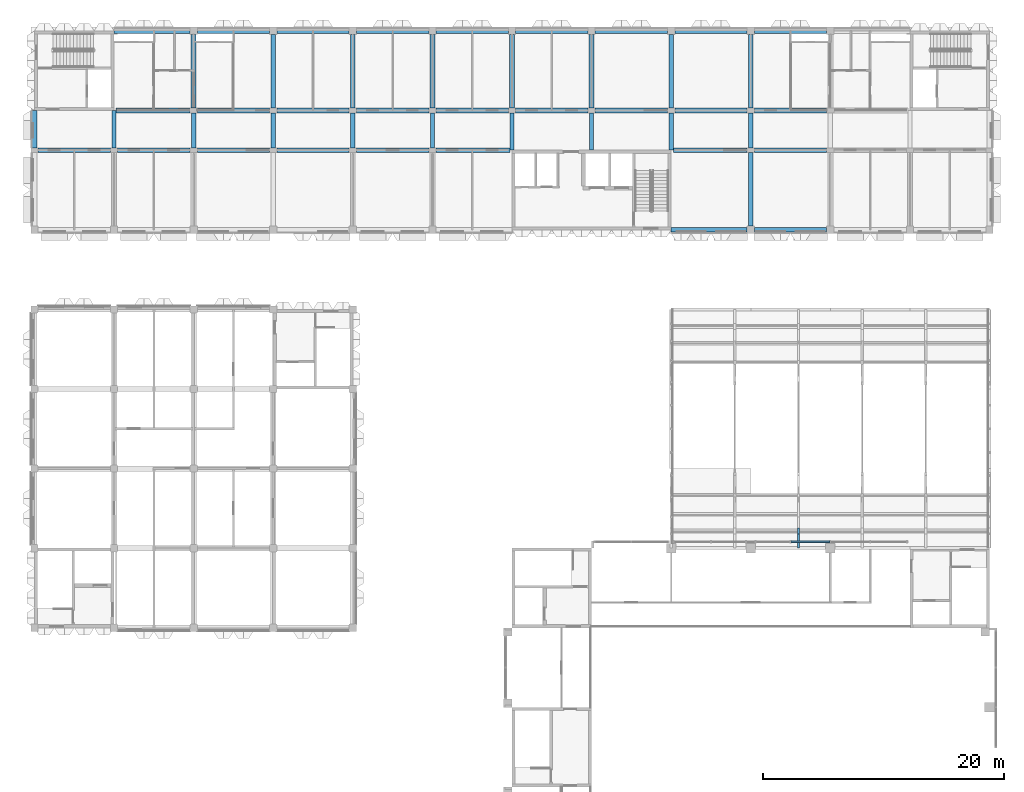
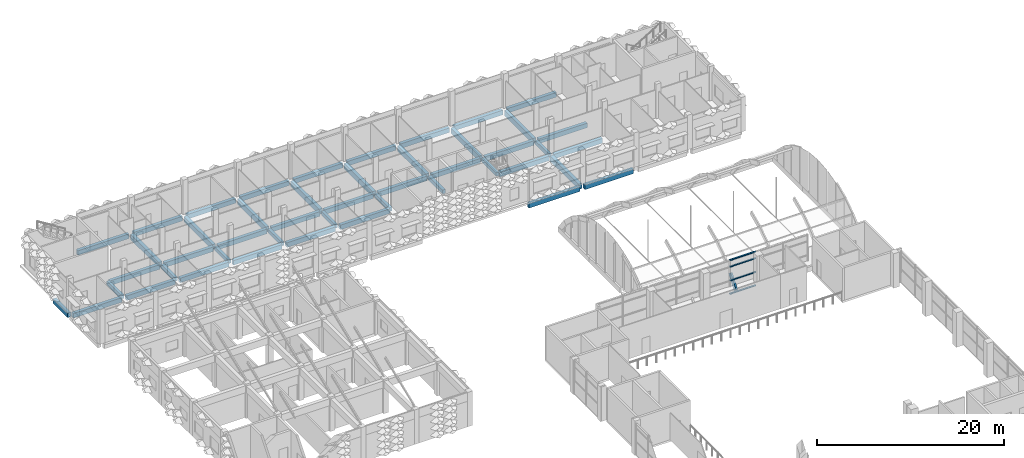
# One storey, part 22 of 102: 47 beams, 5 members, 1 element without a shape of its own.
"""IFC4 building model written with IfcOpenShell, lengths in metres."""

import ifcopenshell
import ifcopenshell.guid

model = None  # the IFC model being written
_history = None  # IfcOwnerHistory: only IFC2X3 demands one
_inside = {}  # id of a spatial element -> (the spatial element, [elements in it])
_under = {}  # id of a project, library or spatial element -> (it, [spatial elements below it])
_declared = {}  # id of a project -> (the project, [libraries it declares])
_typed = {}  # id of a type object -> (the type object, [elements of that type])
_made_of = {}  # id of a material, layer set ... -> (it, [elements and type objects made of it])


def new_model(schema):
    """Start an empty IFC model of exactly this schema.

    Asked for "IFC4X3", IfcOpenShell would pick the latest addendum, in which some entities
    have other attributes; the version numbers below select the first issue.
    IFC2X3 requires an IfcOwnerHistory on every rooted entity: one is made here for all.
    """
    global model, _history
    if schema == "IFC4X3":
        model = ifcopenshell.file(schema_version=(4, 3, 0, 0))
    else:
        model = ifcopenshell.file(schema=schema)
    _inside.clear()
    _under.clear()
    _declared.clear()
    _typed.clear()
    _made_of.clear()
    _history = None
    if model.schema == "IFC2X3":
        org = make("IfcOrganization", Name="unknown")
        user = make(
            "IfcPersonAndOrganization",
            ThePerson=make("IfcPerson", FamilyName="unknown"),
            TheOrganization=org,
        )
        app = make(
            "IfcApplication",
            ApplicationDeveloper=org,
            Version="unknown",
            ApplicationFullName="unknown",
            ApplicationIdentifier="unknown",
        )
        _history = make(
            "IfcOwnerHistory",
            OwningUser=user,
            OwningApplication=app,
            ChangeAction="ADDED",
            CreationDate=0,
        )
    return model


def make(cls, **values):
    """One entity of the class cls with the attributes given. An attribute that is None is left unset."""
    return model.create_entity(
        cls, **{name: value for name, value in values.items() if value is not None}
    )


def rooted(cls, **values):
    """An entity with a GlobalId (a new one), such as an element, a storey or a relation."""
    return make(cls, GlobalId=ifcopenshell.guid.new(), OwnerHistory=_history, **values)


def si_unit(unit_type, name, prefix=None):
    """IfcSIUnit, for example si_unit("LENGTHUNIT", "METRE", prefix="MILLI")."""
    return make("IfcSIUnit", UnitType=unit_type, Prefix=prefix, Name=name)


def assignment(units):
    """IfcUnitAssignment: the units of a project."""
    return None if units is None else make("IfcUnitAssignment", Units=units)


def point(xyz):
    """IfcCartesianPoint."""
    return None if xyz is None else make("IfcCartesianPoint", Coordinates=xyz)


def direction(xyz):
    """IfcDirection."""
    return None if xyz is None else make("IfcDirection", DirectionRatios=xyz)


def frame(location, z_axis=None, x_axis=None):
    """IfcAxis2Placement3D, a coordinate frame: its origin and axes. An axis left out is left unset."""
    return make(
        "IfcAxis2Placement3D",
        Location=point(location),
        Axis=direction(z_axis),
        RefDirection=direction(x_axis),
    )


def frame_2d(location, x_axis=None):
    """IfcAxis2Placement2D, a coordinate frame in the plane: its origin and x axis."""
    return make(
        "IfcAxis2Placement2D", Location=point(location), RefDirection=direction(x_axis)
    )


def origin():
    """The frame at (0, 0, 0) with its axes left unset."""
    return frame((0.0, 0.0, 0.0))


def origin_2d():
    """The frame at (0, 0) in the plane with its x axis left unset."""
    return frame_2d((0.0, 0.0))


def place(relative_to, where):
    """IfcLocalPlacement: puts the frame where relative to a parent placement (None: the world)."""
    return make(
        "IfcLocalPlacement", PlacementRelTo=relative_to, RelativePlacement=where
    )


def context(
    kind, dimensions, precision=None, world=None, true_north=None, identifier=None
):
    """IfcGeometricRepresentationContext, for example the 3D "Model" context."""
    return make(
        "IfcGeometricRepresentationContext",
        ContextIdentifier=identifier,
        ContextType=kind,
        CoordinateSpaceDimension=dimensions,
        Precision=precision,
        WorldCoordinateSystem=world,
        TrueNorth=true_north,
    )


def subcontext(parent, identifier, kind, view, scale=None):
    """IfcGeometricRepresentationSubContext, for example "Body" below "Model"."""
    return make(
        "IfcGeometricRepresentationSubContext",
        ContextIdentifier=identifier,
        ContextType=kind,
        ParentContext=parent,
        TargetScale=scale,
        TargetView=view,
    )


def project(units=None, contexts=None):
    """IfcProject with its units and contexts."""
    return rooted(
        "IfcProject",
        Name="project",
        RepresentationContexts=contexts,
        UnitsInContext=assignment(units),
    )


def spatial(cls, under=None, at=None, **own):
    """A site, building, storey or space (cls), placed at a placement, below another one or the project."""
    s = rooted(cls, ObjectPlacement=at, **own)
    if under is not None:
        _under.setdefault(under.id(), (under, []))[1].append(s)
    return s


def profile(cls, at=None, kind="AREA", **sizes):
    """A parametric profile (cls). Its sizes go by their IFC names, for example OverallWidth=200.0."""
    return make(cls, ProfileType=kind, Position=at, **sizes)


def rectangle(**sizes):
    """IfcRectangleProfileDef."""
    return profile("IfcRectangleProfileDef", **sizes)


def extrude(swept, where, along, depth):
    """IfcExtrudedAreaSolid: the profile swept, set in the frame where, extruded along a direction by depth."""
    return make(
        "IfcExtrudedAreaSolid",
        SweptArea=swept,
        Position=where,
        ExtrudedDirection=direction(along),
        Depth=depth,
    )


def shape(context_of_items, identifier, shape_type, items):
    """IfcShapeRepresentation: the items that make up one representation, for example the "Body"."""
    return make(
        "IfcShapeRepresentation",
        ContextOfItems=context_of_items,
        RepresentationIdentifier=identifier,
        RepresentationType=shape_type,
        Items=items,
    )


def material(Name=None, Category=None):
    """IfcMaterial."""
    return make("IfcMaterial", Name=Name, Category=Category)


def material_profile(
    of_material, cross_section, Name=None, Category=None, Priority=None
):
    """IfcMaterialProfile: a cross section and its material."""
    return make(
        "IfcMaterialProfile",
        Name=Name,
        Material=of_material,
        Profile=cross_section,
        Priority=Priority,
        Category=Category,
    )


def profile_set(profiles, Name=None, composite=None):
    """IfcMaterialProfileSet."""
    return make(
        "IfcMaterialProfileSet",
        Name=Name,
        MaterialProfiles=profiles,
        CompositeProfile=composite,
    )


def made_of(thing, what):
    """Note that an element or type object is made of a material, layer set ...; save() writes the relation."""
    if what is not None:
        _made_of.setdefault(what.id(), (what, []))[1].append(thing)
    return thing


def type_object(cls, material=None, **own):
    """A type object (cls), such as IfcWallType, which elements share."""
    return made_of(rooted(cls, **own), material)


def element(
    cls,
    number,
    at=None,
    inside=None,
    cuts=None,
    type_object=None,
    material=None,
    context=None,
    identifier="Body",
    shape_type=None,
    held_by="IfcProductDefinitionShape",
    body=None,
    shapes=None,
    **own,
):
    """One element of the class cls, such as IfcWall. Its Tag is "e" and its number.

    at: its placement. inside: the storey or other place that contains it. cuts: it is an
    opening in that element (IfcRelVoidsElement). A single representation is given by context,
    identifier, shape_type and body (its items); several are given by shapes. held_by: the class
    of the entity that holds the representations. save() writes the other relations.
    """
    e = rooted(cls, Tag="e%d" % number, ObjectPlacement=at, **own)
    if body is not None:
        shapes = [shape(context, identifier, shape_type, body)]
    if shapes is not None:
        e.Representation = make(held_by, Representations=shapes)
    if inside is not None:
        _inside.setdefault(inside.id(), (inside, []))[1].append(e)
    if cuts is not None:
        rooted(
            "IfcRelVoidsElement", RelatingBuildingElement=cuts, RelatedOpeningElement=e
        )
    if type_object is not None:
        _typed.setdefault(type_object.id(), (type_object, []))[1].append(e)
    return made_of(e, material)


def aggregate(whole, parts):
    """IfcRelAggregates: a whole, such as a stair, and the parts it consists of."""
    return rooted("IfcRelAggregates", RelatingObject=whole, RelatedObjects=parts)


def save(model, path):
    """Write the relations noted so far, then the file.

    IfcRelAggregates (storeys below a building ...), IfcRelContainedInSpatialStructure (elements
    in a storey), IfcRelDefinesByType, IfcRelAssociatesMaterial and IfcRelDeclares: one each for
    every whole, place, type object, material and project.
    """
    for whole, parts in _under.values():
        aggregate(whole, parts)
    for where, things in _inside.values():
        rooted(
            "IfcRelContainedInSpatialStructure",
            RelatedElements=things,
            RelatingStructure=where,
        )
    for kind, things in _typed.values():
        rooted("IfcRelDefinesByType", RelatedObjects=things, RelatingType=kind)
    for what, things in _made_of.values():
        rooted("IfcRelAssociatesMaterial", RelatedObjects=things, RelatingMaterial=what)
    for by, libraries in _declared.values():
        rooted("IfcRelDeclares", RelatingContext=by, RelatedDefinitions=libraries)
    model.write(path)


model = new_model("IFC4")

# Units and contexts
model_context = context("Model", 3, precision=1e-05, world=origin(), true_north=direction((0.0, 1.0)))
body_context = subcontext(model_context, "Body", "Model", "MODEL_VIEW")
ifc_project = project(units=[si_unit("LENGTHUNIT", "METRE"), si_unit("AREAUNIT", "SQUARE_METRE"), si_unit("VOLUMEUNIT", "CUBIC_METRE"), si_unit("PLANEANGLEUNIT", "RADIAN"), si_unit("MASSUNIT", "GRAM", prefix="KILO")], contexts=[model_context])

# Site, building, storey
site_placement = place(None, origin())
site = spatial("IfcSite", under=ifc_project, at=site_placement, CompositionType="ELEMENT")
building_placement = place(site_placement, origin())
building = spatial("IfcBuilding", under=site, at=building_placement, Name="Lantern Court Research Institute", CompositionType="ELEMENT")
storey_placement = place(building_placement, frame((0.0, 0.0, 9.89990234375)))
storey = spatial("IfcBuildingStorey", under=building, at=storey_placement, Name="L02", CompositionType="ELEMENT", Elevation=9.89990234375)

# Member
ifc_material_1 = material(Name="Glued laminated timber GL28h", Category="wood")
ifc_material_profile_1 = material_profile(ifc_material_1, rectangle(XDim=0.199951171875, YDim=0.60009765625, at=origin_2d()), Name="Glulam springing rib 200 x 600")
ifc_profile_set_1 = profile_set([ifc_material_profile_1], Name="Glued laminated timber GL28h")
member_type_1 = type_object("IfcMemberType", Name="Glulam springing rib 200 x 600", PredefinedType="RAFTER", material=ifc_profile_set_1)
member_1_placement = place(storey_placement, frame((63.360107421875, 56.34033203125, 0.460693359375), z_axis=(0.0, 0.598133156131, 0.801396735417), x_axis=(-1.0, 0.0, 0.0)))
element("IfcMember", 1, at=member_1_placement, inside=storey, type_object=member_type_1, Name="Glulam rib", PredefinedType="RAFTER", context=body_context, shape_type="SweptSolid", body=[
    extrude(rectangle(XDim=0.199951171875, YDim=0.60009765625, at=origin_2d()), origin(), (0.0, 0.0, 1.0), 1.968505859375),
])

# Beams
ifc_material_2 = material(Name="Concrete C40/50", Category="concrete")
ifc_material_profile_2 = material_profile(ifc_material_2, rectangle(XDim=0.39990234375, YDim=0.60009765625, at=origin_2d()), Name="RC beam 400 x 600")
ifc_profile_set_2 = profile_set([ifc_material_profile_2], Name="Concrete C40/50")
beam_type_1 = type_object("IfcBeamType", Name="RC beam 400 x 600", PredefinedType="BEAM", material=ifc_profile_set_2)
for number, where, z_axis, x_axis, name in (
    (2, (0.300048828125, 89.10009765625, -0.5498046875), (1.0, 0.0, 0.0), (0.0, 1.0, 0.0), "Beam L02 grid K/1-2"),
    (3, (6.89990234375, 89.10009765625, -0.5498046875), (1.0, 0.0, 0.0), (0.0, 1.0, 0.0), "Beam L02 grid K/2-3"),
    (4, (13.5, 89.10009765625, -0.5498046875), (1.0, 0.0, 0.0), (0.0, 1.0, 0.0), "Beam L02 grid K/3-4"),
    (5, (20.10009765625, 89.10009765625, -0.5498046875), (1.0, 0.0, 0.0), (0.0, 1.0, 0.0), "Beam L02 grid K/4-5"),
    (6, (26.699951171875, 89.10009765625, -0.5498046875), (1.0, 0.0, 0.0), (0.0, 1.0, 0.0), "Beam L02 grid K/5-6"),
):
    element("IfcBeam", number, at=place(storey_placement, frame(where, z_axis=z_axis, x_axis=x_axis)), inside=storey, type_object=beam_type_1, Name=name, PredefinedType="BEAM", context=body_context, shape_type="SweptSolid", body=[
        extrude(rectangle(XDim=0.39990234375, YDim=0.60009765625, at=origin_2d()), origin(), (0.0, 0.0, 1.0), 6.0),
    ])
for number, where, z_axis, x_axis, name in (
    (7, (33.300048828125, 89.10009765625, -0.5498046875), (1.0, 0.0, 0.0), (0.0, 1.0, 0.0), "Beam L02 grid K/6-7"),
    (8, (52.97509765625, 89.10009765625, -0.5498046875), (1.0, 0.0, 0.0), (0.0, 1.0, 0.0), "Beam L02 grid K/9-10"),
):
    element("IfcBeam", number, at=place(storey_placement, frame(where, z_axis=z_axis, x_axis=x_axis)), inside=storey, type_object=beam_type_1, Name=name, PredefinedType="BEAM", context=body_context, shape_type="SweptSolid", body=[
        extrude(rectangle(XDim=0.39990234375, YDim=0.60009765625, at=origin_2d()), origin(), (0.0, 0.0, 1.0), 6.125),
    ])
beam_1_placement = place(storey_placement, frame((59.699951171875, 89.10009765625, -0.5498046875), z_axis=(1.0, 0.0, 0.0), x_axis=(0.0, 1.0, 0.0)))
element("IfcBeam", 9, at=beam_1_placement, inside=storey, type_object=beam_type_1, Name="Beam L02 grid K/10-11", PredefinedType="BEAM", context=body_context, shape_type="SweptSolid", body=[
    extrude(rectangle(XDim=0.39990234375, YDim=0.60009765625, at=origin_2d()), origin(), (0.0, 0.0, 1.0), 6.0),
])
beam_2_placement = place(storey_placement, frame((6.77490234375, 92.39990234375, -0.5498046875), z_axis=(1.0, 0.0, 0.0), x_axis=(0.0, 1.0, 0.0)))
element("IfcBeam", 10, at=beam_2_placement, inside=storey, type_object=beam_type_1, Name="Beam L02 grid L/2-3", PredefinedType="BEAM", context=body_context, shape_type="SweptSolid", body=[
    extrude(rectangle(XDim=0.39990234375, YDim=0.60009765625, at=origin_2d()), origin(), (0.0, 0.0, 1.0), 6.125),
])
for number, where, z_axis, x_axis, name in (
    (11, (13.5, 92.39990234375, -0.5498046875), (1.0, 0.0, 0.0), (0.0, 1.0, 0.0), "Beam L02 grid L/3-4"),
    (12, (20.10009765625, 92.39990234375, -0.5498046875), (1.0, 0.0, 0.0), (0.0, 1.0, 0.0), "Beam L02 grid L/4-5"),
    (13, (26.699951171875, 92.39990234375, -0.5498046875), (1.0, 0.0, 0.0), (0.0, 1.0, 0.0), "Beam L02 grid L/5-6"),
    (14, (33.300048828125, 92.39990234375, -0.5498046875), (1.0, 0.0, 0.0), (0.0, 1.0, 0.0), "Beam L02 grid L/6-7"),
    (15, (39.89990234375, 92.39990234375, -0.5498046875), (1.0, 0.0, 0.0), (0.0, 1.0, 0.0), "Beam L02 grid L/7-8"),
    (16, (46.5, 92.39990234375, -0.5498046875), (1.0, 0.0, 0.0), (0.0, 1.0, 0.0), "Beam L02 grid L/8-9"),
    (17, (53.10009765625, 92.39990234375, -0.5498046875), (1.0, 0.0, 0.0), (0.0, 1.0, 0.0), "Beam L02 grid L/9-10"),
    (18, (59.699951171875, 92.39990234375, -0.5498046875), (1.0, 0.0, 0.0), (0.0, 1.0, 0.0), "Beam L02 grid L/10-11"),
):
    element("IfcBeam", number, at=place(storey_placement, frame(where, z_axis=z_axis, x_axis=x_axis)), inside=storey, type_object=beam_type_1, Name=name, PredefinedType="BEAM", context=body_context, shape_type="SweptSolid", body=[
        extrude(rectangle(XDim=0.39990234375, YDim=0.60009765625, at=origin_2d()), origin(), (0.0, 0.0, 1.0), 6.0),
    ])
ifc_material_3 = material(Name="Concrete C40/50", Category="concrete")
ifc_material_profile_3 = material_profile(ifc_material_3, rectangle(XDim=0.39990234375, YDim=0.699951171875, at=origin_2d()), Name="RC beam 400 x 700")
ifc_profile_set_3 = profile_set([ifc_material_profile_3], Name="Concrete C40/50")
beam_type_2 = type_object("IfcBeamType", Name="RC beam 400 x 700", PredefinedType="BEAM", material=ifc_profile_set_3)
for number, where, z_axis, x_axis, name in (
    (19, (13.199951171875, 92.60009765625, -0.599853515625), (0.0, 1.0, 0.0), (-1.0, 0.0, 0.0), "Beam L02 grid 3/L-M"),
    (20, (19.800048828125, 92.60009765625, -0.599853515625), (0.0, 1.0, 0.0), (-1.0, 0.0, 0.0), "Beam L02 grid 4/L-M"),
    (21, (26.39990234375, 92.60009765625, -0.599853515625), (0.0, 1.0, 0.0), (-1.0, 0.0, 0.0), "Beam L02 grid 5/L-M"),
    (22, (33.0, 92.60009765625, -0.599853515625), (0.0, 1.0, 0.0), (-1.0, 0.0, 0.0), "Beam L02 grid 6/L-M"),
    (23, (39.60009765625, 92.60009765625, -0.599853515625), (0.0, 1.0, 0.0), (-1.0, 0.0, 0.0), "Beam L02 grid 7/L-M"),
    (24, (46.199951171875, 92.60009765625, -0.599853515625), (0.0, 1.0, 0.0), (-1.0, 0.0, 0.0), "Beam L02 grid 8/L-M"),
    (25, (52.800048828125, 92.60009765625, -0.599853515625), (0.0, 1.0, 0.0), (-1.0, 0.0, 0.0), "Beam L02 grid 9/L-M"),
    (26, (59.39990234375, 82.800048828125, -0.599853515625), (0.0, 1.0, 0.0), (-1.0, 0.0, 0.0), "Beam L02 grid 10/J-K"),
    (27, (59.39990234375, 92.60009765625, -0.599853515625), (0.0, 1.0, 0.0), (-1.0, 0.0, 0.0), "Beam L02 grid 10/L-M"),
):
    element("IfcBeam", number, at=place(storey_placement, frame(where, z_axis=z_axis, x_axis=x_axis)), inside=storey, type_object=beam_type_2, Name=name, PredefinedType="BEAM", context=body_context, shape_type="SweptSolid", body=[
        extrude(rectangle(XDim=0.39990234375, YDim=0.699951171875, at=origin_2d()), origin(), (0.0, 0.0, 1.0), 6.099853515625),
    ])
ifc_material_4 = material(Name="Concrete C40/50", Category="concrete")
ifc_material_profile_4 = material_profile(ifc_material_4, rectangle(XDim=0.39990234375, YDim=0.60009765625, at=origin_2d()), Name="RC beam 400 x 600")
ifc_profile_set_4 = profile_set([ifc_material_profile_4], Name="Concrete C40/50")
beam_type_3 = type_object("IfcBeamType", Name="RC edge beam 400 x 600", PredefinedType="BEAM", material=ifc_profile_set_4)
beam_3_placement = place(storey_placement, frame((0.0, 89.300048828125, -0.5498046875), z_axis=(0.0, 1.0, 0.0), x_axis=(-1.0, 0.0, 0.0)))
element("IfcBeam", 28, at=beam_3_placement, inside=storey, type_object=beam_type_3, Name="Edge beam L02 grid 1/K-L", PredefinedType="BEAM", context=body_context, shape_type="SweptSolid", body=[
    extrude(rectangle(XDim=0.39990234375, YDim=0.60009765625, at=origin_2d()), origin(), (0.0, 0.0, 1.0), 3.099853515625),
])
beam_4_placement = place(storey_placement, frame((52.800048828125, 82.5, -0.5498046875), z_axis=(1.0, 0.0, 0.0), x_axis=(0.0, 1.0, 0.0)))
element("IfcBeam", 29, at=beam_4_placement, inside=storey, type_object=beam_type_3, Name="Edge beam L02 grid J/9-10", PredefinedType="BEAM", context=body_context, shape_type="SweptSolid", body=[
    extrude(rectangle(XDim=0.39990234375, YDim=0.60009765625, at=origin_2d()), origin(), (0.0, 0.0, 1.0), 6.300048828125),
])
beam_5_placement = place(storey_placement, frame((59.699951171875, 82.5, -0.5498046875), z_axis=(1.0, 0.0, 0.0), x_axis=(0.0, 1.0, 0.0)))
element("IfcBeam", 30, at=beam_5_placement, inside=storey, type_object=beam_type_3, Name="Edge beam L02 grid J/10-11", PredefinedType="BEAM", context=body_context, shape_type="SweptSolid", body=[
    extrude(rectangle(XDim=0.39990234375, YDim=0.60009765625, at=origin_2d()), origin(), (0.0, 0.0, 1.0), 6.0),
])
beam_6_placement = place(storey_placement, frame((6.60009765625, 99.0, -0.5498046875), z_axis=(1.0, 0.0, 0.0), x_axis=(0.0, 1.0, 0.0)))
element("IfcBeam", 31, at=beam_6_placement, inside=storey, type_object=beam_type_3, Name="Edge beam L02 grid M/2-3", PredefinedType="BEAM", context=body_context, shape_type="SweptSolid", body=[
    extrude(rectangle(XDim=0.39990234375, YDim=0.60009765625, at=origin_2d()), origin(), (0.0, 0.0, 1.0), 6.2998046875),
])
for number, where, z_axis, x_axis, name in (
    (32, (13.5, 99.0, -0.5498046875), (1.0, 0.0, 0.0), (0.0, 1.0, 0.0), "Edge beam L02 grid M/3-4"),
    (33, (20.10009765625, 99.0, -0.5498046875), (1.0, 0.0, 0.0), (0.0, 1.0, 0.0), "Edge beam L02 grid M/4-5"),
    (34, (26.699951171875, 99.0, -0.5498046875), (1.0, 0.0, 0.0), (0.0, 1.0, 0.0), "Edge beam L02 grid M/5-6"),
    (35, (33.300048828125, 99.0, -0.5498046875), (1.0, 0.0, 0.0), (0.0, 1.0, 0.0), "Edge beam L02 grid M/6-7"),
    (36, (39.89990234375, 99.0, -0.5498046875), (1.0, 0.0, 0.0), (0.0, 1.0, 0.0), "Edge beam L02 grid M/7-8"),
    (37, (46.5, 99.0, -0.5498046875), (1.0, 0.0, 0.0), (0.0, 1.0, 0.0), "Edge beam L02 grid M/8-9"),
    (38, (53.10009765625, 99.0, -0.5498046875), (1.0, 0.0, 0.0), (0.0, 1.0, 0.0), "Edge beam L02 grid M/9-10"),
    (39, (59.699951171875, 99.0, -0.5498046875), (1.0, 0.0, 0.0), (0.0, 1.0, 0.0), "Edge beam L02 grid M/10-11"),
):
    element("IfcBeam", number, at=place(storey_placement, frame(where, z_axis=z_axis, x_axis=x_axis)), inside=storey, type_object=beam_type_3, Name=name, PredefinedType="BEAM", context=body_context, shape_type="SweptSolid", body=[
        extrude(rectangle(XDim=0.39990234375, YDim=0.60009765625, at=origin_2d()), origin(), (0.0, 0.0, 1.0), 6.0),
    ])
ifc_material_5 = material(Name="Concrete C40/50", Category="concrete")
ifc_material_profile_5 = material_profile(ifc_material_5, rectangle(XDim=0.35009765625, YDim=0.5, at=origin_2d()), Name="RC beam 350 x 500")
ifc_profile_set_5 = profile_set([ifc_material_profile_5], Name="Concrete C40/50")
beam_type_4 = type_object("IfcBeamType", Name="RC spine beam 350 x 500", PredefinedType="BEAM", material=ifc_profile_set_5)
beam_7_placement = place(storey_placement, frame((6.60009765625, 89.300048828125, -0.5), z_axis=(0.0, 1.0, 0.0), x_axis=(-1.0, 0.0, 0.0)))
element("IfcBeam", 40, at=beam_7_placement, inside=storey, type_object=beam_type_4, Name="Beam L02 grid 2/K-L", PredefinedType="BEAM", context=body_context, shape_type="SweptSolid", body=[
    extrude(rectangle(XDim=0.35009765625, YDim=0.5, at=origin_2d()), origin(), (0.0, 0.0, 1.0), 3.099853515625),
])
for number, where, z_axis, x_axis, name in (
    (41, (13.199951171875, 89.300048828125, -0.5), (0.0, 1.0, 0.0), (-1.0, 0.0, 0.0), "Beam L02 grid 3/K-L"),
    (42, (19.800048828125, 89.300048828125, -0.5), (0.0, 1.0, 0.0), (-1.0, 0.0, 0.0), "Beam L02 grid 4/K-L"),
    (43, (26.39990234375, 89.300048828125, -0.5), (0.0, 1.0, 0.0), (-1.0, 0.0, 0.0), "Beam L02 grid 5/K-L"),
    (44, (33.0, 89.300048828125, -0.5), (0.0, 1.0, 0.0), (-1.0, 0.0, 0.0), "Beam L02 grid 6/K-L"),
):
    element("IfcBeam", number, at=place(storey_placement, frame(where, z_axis=z_axis, x_axis=x_axis)), inside=storey, type_object=beam_type_4, Name=name, PredefinedType="BEAM", context=body_context, shape_type="SweptSolid", body=[
        extrude(rectangle(XDim=0.35009765625, YDim=0.5, at=origin_2d()), origin(), (0.0, 0.0, 1.0), 2.89990234375),
    ])
for number, where, z_axis, x_axis, name in (
    (45, (39.60009765625, 89.10009765625, -0.5), (0.0, 1.0, 0.0), (-1.0, 0.0, 0.0), "Beam L02 grid 7/K-L"),
    (46, (46.199951171875, 89.10009765625, -0.5), (0.0, 1.0, 0.0), (-1.0, 0.0, 0.0), "Beam L02 grid 8/K-L"),
    (47, (52.800048828125, 89.10009765625, -0.5), (0.0, 1.0, 0.0), (-1.0, 0.0, 0.0), "Beam L02 grid 9/K-L"),
):
    element("IfcBeam", number, at=place(storey_placement, frame(where, z_axis=z_axis, x_axis=x_axis)), inside=storey, type_object=beam_type_4, Name=name, PredefinedType="BEAM", context=body_context, shape_type="SweptSolid", body=[
        extrude(rectangle(XDim=0.35009765625, YDim=0.5, at=origin_2d()), origin(), (0.0, 0.0, 1.0), 3.099853515625),
    ])
beam_8_placement = place(storey_placement, frame((59.39990234375, 89.300048828125, -0.5), z_axis=(0.0, 1.0, 0.0), x_axis=(-1.0, 0.0, 0.0)))
element("IfcBeam", 48, at=beam_8_placement, inside=storey, type_object=beam_type_4, Name="Beam L02 grid 10/K-L", PredefinedType="BEAM", context=body_context, shape_type="SweptSolid", body=[
    extrude(rectangle(XDim=0.35009765625, YDim=0.5, at=origin_2d()), origin(), (0.0, 0.0, 1.0), 2.89990234375),
])

# Curtain wall, members
ifc_material_6 = material(Name="Aluminium alloy 6063-T6", Category="aluminium")
curtain_wall_type = type_object("IfcCurtainWallType", Name="Curtain wall 19450 x 4500 x 150 aluminium frame", PredefinedType="NOTDEFINED", material=ifc_material_6)
curtain_wall_placement = place(storey_placement, origin())
curtain_wall = element("IfcCurtainWall", 49, at=curtain_wall_placement, inside=storey, type_object=curtain_wall_type, Name="Curtain wall CW036", PredefinedType="NOTDEFINED")
ifc_material_7 = material(Name="Aluminium alloy 6063-T6", Category="aluminium")
ifc_material_profile_6 = material_profile(ifc_material_7, rectangle(XDim=0.14990234375, YDim=0.10009765625, at=origin_2d()), Name="Transom 150 x 100")
ifc_profile_set_6 = profile_set([ifc_material_profile_6], Name="Aluminium alloy 6063-T6")
member_type_2 = type_object("IfcMemberType", Name="Transom 150 x 100 aluminium", PredefinedType="USERDEFINED", material=ifc_profile_set_6)
member_2_placement = place(storey_placement, frame((62.75, 56.625, 0.050048828125), z_axis=(1.0, 0.0, 0.0), x_axis=(0.0, 1.0, 0.0)))
member_2 = element("IfcMember", 50, at=member_2_placement, type_object=member_type_2, Name="CW036 transom 5.1", ObjectType="TRANSOM", PredefinedType="USERDEFINED", context=body_context, shape_type="SweptSolid", body=[
    extrude(rectangle(XDim=0.14990234375, YDim=0.10009765625, at=origin_2d()), origin(), (0.0, 0.0, 1.0), 3.199951171875),
])
member_3_placement = place(storey_placement, frame((62.75, 56.625, 1.800048828125), z_axis=(1.0, 0.0, 0.0), x_axis=(0.0, 1.0, 0.0)))
member_3 = element("IfcMember", 51, at=member_3_placement, type_object=member_type_2, Name="CW036 transom 5.2", ObjectType="TRANSOM", PredefinedType="USERDEFINED", context=body_context, shape_type="SweptSolid", body=[
    extrude(rectangle(XDim=0.14990234375, YDim=0.10009765625, at=origin_2d()), origin(), (0.0, 0.0, 1.0), 3.199951171875),
])
member_4_placement = place(storey_placement, frame((62.75, 56.625, 3.60009765625), z_axis=(1.0, 0.0, 0.0), x_axis=(0.0, 1.0, 0.0)))
member_4 = element("IfcMember", 52, at=member_4_placement, type_object=member_type_2, Name="CW036 transom 5.3", ObjectType="TRANSOM", PredefinedType="USERDEFINED", context=body_context, shape_type="SweptSolid", body=[
    extrude(rectangle(XDim=0.14990234375, YDim=0.10009765625, at=origin_2d()), origin(), (0.0, 0.0, 1.0), 3.199951171875),
])
member_5_placement = place(storey_placement, frame((62.75, 56.625, 4.4501953125), z_axis=(1.0, 0.0, 0.0), x_axis=(0.0, 1.0, 0.0)))
member_5 = element("IfcMember", 53, at=member_5_placement, type_object=member_type_2, Name="CW036 transom 5.4", ObjectType="TRANSOM", PredefinedType="USERDEFINED", context=body_context, shape_type="SweptSolid", body=[
    extrude(rectangle(XDim=0.14990234375, YDim=0.10009765625, at=origin_2d()), origin(), (0.0, 0.0, 1.0), 3.199951171875),
])
aggregate(curtain_wall, [member_2, member_3, member_4, member_5])

save(model, "model.ifc")
